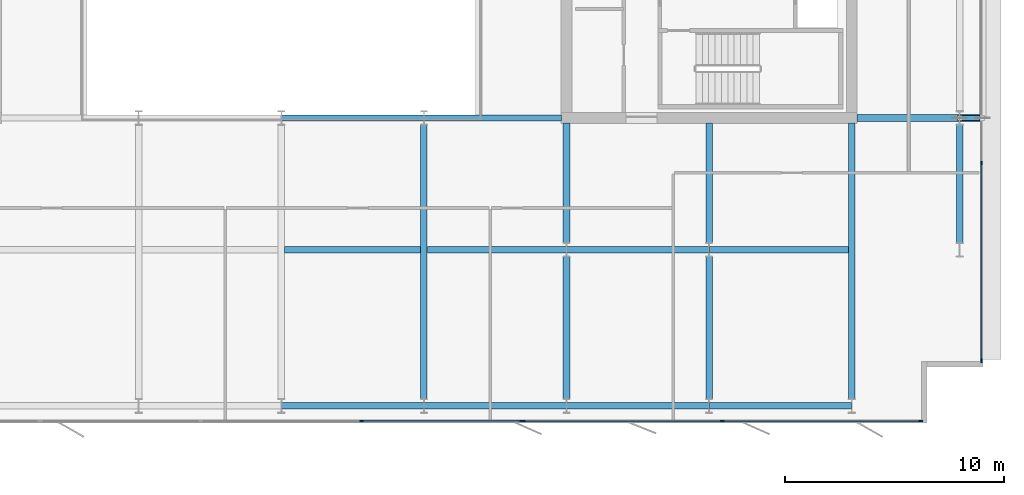
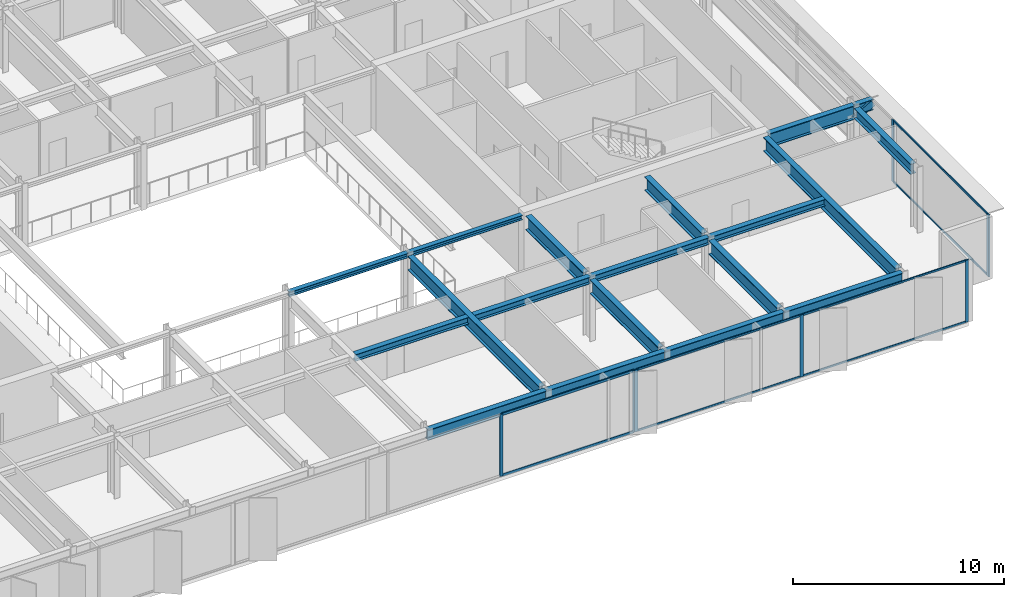
# One storey, part 6 of 19: 19 beams, 16 members, 3 elements without a shape of their own.
"""IFC4 building model written with IfcOpenShell, lengths in metres."""

from ifc_helpers import new_model, si_unit, direction, frame, origin, origin_2d, place, context, subcontext, project, spatial, rectangle, hollow_rectangle, i_section, extrude, material, layer, layer_set, material_profile, profile_set, type_object, element, aggregate, save


model = new_model("IFC4")

# Units and contexts
model_context = context("Model", 3, precision=1e-05, world=origin(), true_north=direction((0.0, 1.0)))
body_context = subcontext(model_context, "Body", "Model", "MODEL_VIEW")
ifc_project = project(units=[si_unit("LENGTHUNIT", "METRE"), si_unit("AREAUNIT", "SQUARE_METRE"), si_unit("VOLUMEUNIT", "CUBIC_METRE"), si_unit("PLANEANGLEUNIT", "RADIAN"), si_unit("MASSUNIT", "GRAM", prefix="KILO")], contexts=[model_context])

# Site, building, storey
site_placement = place(None, origin())
site = spatial("IfcSite", under=ifc_project, at=site_placement, CompositionType="ELEMENT")
building_placement = place(site_placement, origin())
building = spatial("IfcBuilding", under=site, at=building_placement, Name="Putna Gate Headquarters", CompositionType="ELEMENT")
storey_placement = place(building_placement, frame((0.0, 0.0, 263.199951171875)))
storey = spatial("IfcBuildingStorey", under=building, at=storey_placement, Name="L66", CompositionType="ELEMENT", Elevation=263.199951171875)

# Beams
ifc_material_1 = material(Name="Steel S355J2", Category="steel")
ifc_material_profile_1 = material_profile(ifc_material_1, i_section(OverallWidth=0.260009765625, OverallDepth=0.260009765625, WebThickness=0.010009765625, FlangeThickness=0.017578125, at=origin_2d()), Name="Steel S355J2")
ifc_profile_set_1 = profile_set([ifc_material_profile_1], Name="Steel S355J2")
beam_type_1 = type_object("IfcBeamType", Name="BM-ATRIUM-HEB260", PredefinedType="BEAM", material=ifc_profile_set_1)
beam_1_placement = place(storey_placement, frame((39.006103515625, 19.0, 3.4580078125), z_axis=(1.0, 0.0, 0.0), x_axis=(0.0, 1.0, 0.0)))
element("IfcBeam", 1, at=beam_1_placement, inside=storey, type_object=beam_type_1, Name="L66 Atrium Edge Beam AS3", PredefinedType="BEAM", context=body_context, shape_type="SweptSolid", body=[
    extrude(i_section(OverallWidth=0.260009765625, OverallDepth=0.260009765625, WebThickness=0.010009765625, FlangeThickness=0.017578125, at=origin_2d()), origin(), (0.0, 0.0, 1.0), 6.48779296875),
])
beam_2_placement = place(storey_placement, frame((45.506103515625, 19.0, 3.4580078125), z_axis=(1.0, 0.0, 0.0), x_axis=(0.0, 1.0, 0.0)))
element("IfcBeam", 2, at=beam_2_placement, inside=storey, type_object=beam_type_1, Name="L66 Atrium Edge Beam AS4", PredefinedType="BEAM", context=body_context, shape_type="SweptSolid", body=[
    extrude(i_section(OverallWidth=0.260009765625, OverallDepth=0.260009765625, WebThickness=0.010009765625, FlangeThickness=0.017578125, at=origin_2d()), origin(), (0.0, 0.0, 1.0), 6.2587890625),
])
ifc_material_profile_2 = material_profile(ifc_material_1, i_section(OverallWidth=0.300048828125, OverallDepth=0.800048828125, WebThickness=0.017578125, FlangeThickness=0.032958984375, at=origin_2d()), Name="Steel S355J2")
ifc_profile_set_2 = profile_set([ifc_material_profile_2], Name="Steel S355J2")
beam_type_2 = type_object("IfcBeamType", Name="BM-GIRD-P-HEB800", PredefinedType="USERDEFINED", material=ifc_profile_set_2)
beam_3_placement = place(storey_placement, frame((65.235107421875, 19.0, 3.18798828125), z_axis=(1.0, 0.0, 0.0), x_axis=(0.0, 1.0, 0.0)))
element("IfcBeam", 3, at=beam_3_placement, inside=storey, type_object=beam_type_2, Name="L66 East Wing Girder Y19", ObjectType="GIRDER", PredefinedType="USERDEFINED", context=body_context, shape_type="SweptSolid", body=[
    extrude(i_section(OverallWidth=0.300048828125, OverallDepth=0.800048828125, WebThickness=0.017578125, FlangeThickness=0.032958984375, at=origin_2d()), origin(), (0.0, 0.0, 1.0), 4.678955078125),
])
beam_4_placement = place(storey_placement, frame((45.5, 6.201904296875, 3.18798828125), z_axis=(0.0, 1.0, 0.0), x_axis=(-1.0, 0.0, 0.0)))
element("IfcBeam", 4, at=beam_4_placement, inside=storey, type_object=beam_type_2, Name="L66 South Primary Girder X45", ObjectType="GIRDER", PredefinedType="USERDEFINED", context=body_context, shape_type="SweptSolid", body=[
    extrude(i_section(OverallWidth=0.300048828125, OverallDepth=0.800048828125, WebThickness=0.017578125, FlangeThickness=0.032958984375, at=origin_2d()), origin(), (0.0, 0.0, 1.0), 12.47607421875),
])
beam_5_placement = place(storey_placement, frame((52.0, 6.201904296875, 3.18798828125), z_axis=(0.0, 1.0, 0.0), x_axis=(-1.0, 0.0, 0.0)))
element("IfcBeam", 5, at=beam_5_placement, inside=storey, type_object=beam_type_2, Name="L66 South Primary Girder X52-1", ObjectType="GIRDER", PredefinedType="USERDEFINED", context=body_context, shape_type="SweptSolid", body=[
    extrude(i_section(OverallWidth=0.300048828125, OverallDepth=0.800048828125, WebThickness=0.017578125, FlangeThickness=0.032958984375, at=origin_2d()), origin(), (0.0, 0.0, 1.0), 6.47607421875),
])
beam_6_placement = place(storey_placement, frame((52.0, 13.322021484375, 3.18798828125), z_axis=(0.0, 1.0, 0.0), x_axis=(-1.0, 0.0, 0.0)))
element("IfcBeam", 6, at=beam_6_placement, inside=storey, type_object=beam_type_2, Name="L66 South Primary Girder X52-2", ObjectType="GIRDER", PredefinedType="USERDEFINED", context=body_context, shape_type="SweptSolid", body=[
    extrude(i_section(OverallWidth=0.300048828125, OverallDepth=0.800048828125, WebThickness=0.017578125, FlangeThickness=0.032958984375, at=origin_2d()), origin(), (0.0, 0.0, 1.0), 5.44287109375),
])
beam_7_placement = place(storey_placement, frame((58.5, 6.201904296875, 3.18798828125), z_axis=(0.0, 1.0, 0.0), x_axis=(-1.0, 0.0, 0.0)))
element("IfcBeam", 7, at=beam_7_placement, inside=storey, type_object=beam_type_2, Name="L66 South Primary Girder X58-1", ObjectType="GIRDER", PredefinedType="USERDEFINED", context=body_context, shape_type="SweptSolid", body=[
    extrude(i_section(OverallWidth=0.300048828125, OverallDepth=0.800048828125, WebThickness=0.017578125, FlangeThickness=0.032958984375, at=origin_2d()), origin(), (0.0, 0.0, 1.0), 6.47607421875),
])
beam_8_placement = place(storey_placement, frame((58.5, 13.322021484375, 3.18798828125), z_axis=(0.0, 1.0, 0.0), x_axis=(-1.0, 0.0, 0.0)))
element("IfcBeam", 8, at=beam_8_placement, inside=storey, type_object=beam_type_2, Name="L66 South Primary Girder X58-2", ObjectType="GIRDER", PredefinedType="USERDEFINED", context=body_context, shape_type="SweptSolid", body=[
    extrude(i_section(OverallWidth=0.300048828125, OverallDepth=0.800048828125, WebThickness=0.017578125, FlangeThickness=0.032958984375, at=origin_2d()), origin(), (0.0, 0.0, 1.0), 5.44287109375),
])
beam_9_placement = place(storey_placement, frame((65.0, 6.201904296875, 3.18798828125), z_axis=(0.0, 1.0, 0.0), x_axis=(-1.0, 0.0, 0.0)))
element("IfcBeam", 9, at=beam_9_placement, inside=storey, type_object=beam_type_2, Name="L66 South Primary Girder X65", ObjectType="GIRDER", PredefinedType="USERDEFINED", context=body_context, shape_type="SweptSolid", body=[
    extrude(i_section(OverallWidth=0.300048828125, OverallDepth=0.800048828125, WebThickness=0.017578125, FlangeThickness=0.032958984375, at=origin_2d()), origin(), (0.0, 0.0, 1.0), 12.56298828125),
])
ifc_material_profile_3 = material_profile(ifc_material_1, i_section(OverallWidth=0.300048828125, OverallDepth=0.60009765625, WebThickness=0.015380859375, FlangeThickness=0.030029296875, at=origin_2d()), Name="Steel S355J2")
ifc_profile_set_3 = profile_set([ifc_material_profile_3], Name="Steel S355J2")
beam_type_3 = type_object("IfcBeamType", Name="BM-GIRD-SAIL-HEB600", PredefinedType="USERDEFINED", material=ifc_profile_set_3)
beam_10_placement = place(storey_placement, frame((69.926025390625, 19.0, 3.2880859375), z_axis=(1.0, 0.0, 0.0), x_axis=(0.0, 1.0, 0.0)))
element("IfcBeam", 10, at=beam_10_placement, inside=storey, type_object=beam_type_3, Name="L66 East Sail Outrigger Bracket Y19", ObjectType="GIRDER", PredefinedType="USERDEFINED", context=body_context, shape_type="SweptSolid", body=[
    extrude(i_section(OverallWidth=0.300048828125, OverallDepth=0.60009765625, WebThickness=0.015380859375, FlangeThickness=0.030029296875, at=origin_2d()), origin(), (0.0, 0.0, 1.0), 1.0390625),
])
ifc_material_profile_4 = material_profile(ifc_material_1, i_section(OverallWidth=0.300048828125, OverallDepth=0.389892578125, WebThickness=0.010986328125, FlangeThickness=0.01904296875, at=origin_2d()), Name="Steel S355J2")
ifc_profile_set_4 = profile_set([ifc_material_profile_4], Name="Steel S355J2")
beam_type_4 = type_object("IfcBeamType", Name="BM-SEC-Z5-HEA400", PredefinedType="BEAM", material=ifc_profile_set_4)
beam_11_placement = place(storey_placement, frame((39.154052734375, 13.0, 3.39306640625), z_axis=(1.0, 0.0, 0.0), x_axis=(0.0, 1.0, 0.0)))
element("IfcBeam", 11, at=beam_11_placement, inside=storey, type_object=beam_type_4, Name="L66 South Secondary Beam 5", PredefinedType="BEAM", context=body_context, shape_type="SweptSolid", body=[
    extrude(i_section(OverallWidth=0.300048828125, OverallDepth=0.389892578125, WebThickness=0.010986328125, FlangeThickness=0.01904296875, at=origin_2d()), origin(), (0.0, 0.0, 1.0), 6.19189453125),
])
beam_12_placement = place(storey_placement, frame((45.654052734375, 13.0, 3.39306640625), z_axis=(1.0, 0.0, 0.0), x_axis=(0.0, 1.0, 0.0)))
element("IfcBeam", 12, at=beam_12_placement, inside=storey, type_object=beam_type_4, Name="L66 South Secondary Beam 6", PredefinedType="BEAM", context=body_context, shape_type="SweptSolid", body=[
    extrude(i_section(OverallWidth=0.300048828125, OverallDepth=0.389892578125, WebThickness=0.010986328125, FlangeThickness=0.01904296875, at=origin_2d()), origin(), (0.0, 0.0, 1.0), 6.33984375),
])
beam_13_placement = place(storey_placement, frame((52.006103515625, 13.0, 3.39306640625), z_axis=(1.0, 0.0, 0.0), x_axis=(0.0, 1.0, 0.0)))
element("IfcBeam", 13, at=beam_13_placement, inside=storey, type_object=beam_type_4, Name="L66 South Secondary Beam 7", PredefinedType="BEAM", context=body_context, shape_type="SweptSolid", body=[
    extrude(i_section(OverallWidth=0.300048828125, OverallDepth=0.389892578125, WebThickness=0.010986328125, FlangeThickness=0.01904296875, at=origin_2d()), origin(), (0.0, 0.0, 1.0), 6.48779296875),
])
beam_14_placement = place(storey_placement, frame((58.506103515625, 13.0, 3.39306640625), z_axis=(1.0, 0.0, 0.0), x_axis=(0.0, 1.0, 0.0)))
element("IfcBeam", 14, at=beam_14_placement, inside=storey, type_object=beam_type_4, Name="L66 South Secondary Beam 8", PredefinedType="BEAM", context=body_context, shape_type="SweptSolid", body=[
    extrude(i_section(OverallWidth=0.300048828125, OverallDepth=0.389892578125, WebThickness=0.010986328125, FlangeThickness=0.01904296875, at=origin_2d()), origin(), (0.0, 0.0, 1.0), 6.33984375),
])
ifc_material_profile_5 = material_profile(ifc_material_1, i_section(OverallWidth=0.300048828125, OverallDepth=0.590087890625, WebThickness=0.012939453125, FlangeThickness=0.02490234375, at=origin_2d()), Name="Steel S355J2")
ifc_profile_set_5 = profile_set([ifc_material_profile_5], Name="Steel S355J2")
beam_type_5 = type_object("IfcBeamType", Name="BM-SPAN-Z4-HEA600", PredefinedType="SPANDREL", material=ifc_profile_set_5)
for number, where, z_axis, x_axis, name in (
    (15, (39.006103515625, 5.8798828125, 3.29296875), (1.0, 0.0, 0.0), (0.0, 1.0, 0.0), "L66 S Perimeter Spandrel 5"),
    (16, (45.506103515625, 5.8798828125, 3.29296875), (1.0, 0.0, 0.0), (0.0, 1.0, 0.0), "L66 S Perimeter Spandrel 6"),
    (17, (52.006103515625, 5.8798828125, 3.29296875), (1.0, 0.0, 0.0), (0.0, 1.0, 0.0), "L66 S Perimeter Spandrel 7"),
    (18, (58.506103515625, 5.8798828125, 3.29296875), (1.0, 0.0, 0.0), (0.0, 1.0, 0.0), "L66 S Perimeter Spandrel 8"),
):
    element("IfcBeam", number, at=place(storey_placement, frame(where, z_axis=z_axis, x_axis=x_axis)), inside=storey, type_object=beam_type_5, Name=name, PredefinedType="SPANDREL", context=body_context, shape_type="SweptSolid", body=[
        extrude(i_section(OverallWidth=0.300048828125, OverallDepth=0.590087890625, WebThickness=0.012939453125, FlangeThickness=0.02490234375, at=origin_2d()), origin(), (0.0, 0.0, 1.0), 6.48779296875),
    ])
beam_15_placement = place(storey_placement, frame((69.919921875, 13.322021484375, 3.29296875), z_axis=(0.0, 1.0, 0.0), x_axis=(-1.0, 0.0, 0.0)))
element("IfcBeam", 19, at=beam_15_placement, inside=storey, type_object=beam_type_5, Name="L66 E End Spandrel 1", PredefinedType="SPANDREL", context=body_context, shape_type="SweptSolid", body=[
    extrude(i_section(OverallWidth=0.300048828125, OverallDepth=0.590087890625, WebThickness=0.012939453125, FlangeThickness=0.02490234375, at=origin_2d()), origin(), (0.0, 0.0, 1.0), 5.35595703125),
])

# Member
ifc_material_2 = material(Name="Steel S460M", Category="steel")
ifc_material_profile_6 = material_profile(ifc_material_2, hollow_rectangle(XDim=0.25, YDim=0.39990234375, WallThickness=0.01611328125, at=origin_2d()), Name="Steel S460M")
ifc_profile_set_6 = profile_set([ifc_material_profile_6], Name="Steel S460M")
member_type_1 = type_object("IfcMemberType", Name="MEM-SAIL-BRACE-RHS400", PredefinedType="BRACE", material=ifc_profile_set_6)
member_1_placement = place(storey_placement, frame((69.93212890625, 19.0, 2.76025390625), z_axis=(0.859639939192, 0.0, 0.51090035716), x_axis=(0.0, 1.0, 0.0)))
element("IfcMember", 20, at=member_1_placement, inside=storey, type_object=member_type_1, Name="L66 East Sail Cantilever Raker Y19", PredefinedType="BRACE", context=body_context, shape_type="SweptSolid", body=[
    extrude(hollow_rectangle(XDim=0.25, YDim=0.39990234375, WallThickness=0.01611328125, at=origin_2d()), origin(), (0.0, 0.0, 1.0), 1.169921875),
])

# Curtain wall, members
ifc_material_3 = material(Name="Anodised bronze aluminium curtain wall", Category="aluminium")
ifc_layer_1 = layer(ifc_material_3, 0.179931640625)
ifc_layer_set_1 = layer_set([ifc_layer_1], Name="Anodised bronze aluminium curtain wall")
curtain_wall_type_1 = type_object("IfcCurtainWallType", Name="CW-SYS-Z5", PredefinedType="USERDEFINED", material=ifc_layer_set_1)
curtain_wall_1_placement = place(storey_placement, origin())
curtain_wall_1 = element("IfcCurtainWall", 21, at=curtain_wall_1_placement, inside=storey, type_object=curtain_wall_type_1, Name="L66 South East Curtain Wall", ObjectType="STICK CURTAIN WALL", PredefinedType="USERDEFINED")
ifc_material_4 = material(Name="Anodised bronze aluminium EN AW-6060", Category="aluminium")
ifc_material_profile_7 = material_profile(ifc_material_4, rectangle(XDim=0.070068359375, YDim=0.179931640625, at=origin_2d()), Name="Anodised bronze aluminium EN AW-6060")
ifc_profile_set_7 = profile_set([ifc_material_profile_7], Name="Anodised bronze aluminium EN AW-6060")
member_type_2 = type_object("IfcMemberType", Name="MULL-CWM-5", PredefinedType="MULLION", material=ifc_profile_set_7)
member_2_placement = place(storey_placement, frame((50.034912109375, 5.179931640625, 0.0), z_axis=(0.0, 0.0, 1.0), x_axis=(0.0, 1.0, 0.0)))
member_2 = element("IfcMember", 22, at=member_2_placement, type_object=member_type_2, Name="CWS-5 mullion 1", PredefinedType="MULLION", context=body_context, shape_type="SweptSolid", body=[
    extrude(rectangle(XDim=0.070068359375, YDim=0.179931640625, at=origin_2d()), origin(), (0.0, 0.0, 1.0), 3.588134765625),
])
member_3_placement = place(storey_placement, frame((59.094482421875, 5.179931640625, 0.0), z_axis=(0.0, 0.0, 1.0), x_axis=(0.0, 1.0, 0.0)))
member_3 = element("IfcMember", 23, at=member_3_placement, type_object=member_type_2, Name="CWS-5 mullion 2", PredefinedType="MULLION", context=body_context, shape_type="SweptSolid", body=[
    extrude(rectangle(XDim=0.070068359375, YDim=0.179931640625, at=origin_2d()), origin(), (0.0, 0.0, 1.0), 3.588134765625),
])
member_4_placement = place(storey_placement, frame((68.154052734375, 5.179931640625, 0.0), z_axis=(0.0, 0.0, 1.0), x_axis=(0.0, 1.0, 0.0)))
member_4 = element("IfcMember", 24, at=member_4_placement, type_object=member_type_2, Name="CWS-5 mullion 3", PredefinedType="MULLION", context=body_context, shape_type="SweptSolid", body=[
    extrude(rectangle(XDim=0.070068359375, YDim=0.179931640625, at=origin_2d()), origin(), (0.0, 0.0, 1.0), 3.588134765625),
])

curtain_wall_2_placement = place(storey_placement, origin())
curtain_wall_2 = element("IfcCurtainWall", 25, at=curtain_wall_2_placement, inside=storey, type_object=curtain_wall_type_1, Name="L66 East Curtain Wall", ObjectType="STICK CURTAIN WALL", PredefinedType="USERDEFINED")
member_5_placement = place(storey_placement, frame((70.908935546875, 7.93505859375, 0.0), z_axis=(0.0, 0.0, 1.0), x_axis=(-1.0, 0.0, 0.0)))
member_5 = element("IfcMember", 26, at=member_5_placement, type_object=member_type_2, Name="CWS-5 mullion 1", PredefinedType="MULLION", context=body_context, shape_type="SweptSolid", body=[
    extrude(rectangle(XDim=0.070068359375, YDim=0.179931640625, at=origin_2d()), origin(), (0.0, 0.0, 1.0), 3.588134765625),
])
member_6_placement = place(storey_placement, frame((70.908935546875, 16.949951171875, 0.0), z_axis=(0.0, 0.0, 1.0), x_axis=(-1.0, 0.0, 0.0)))
member_6 = element("IfcMember", 27, at=member_6_placement, type_object=member_type_2, Name="CWS-5 mullion 2", PredefinedType="MULLION", context=body_context, shape_type="SweptSolid", body=[
    extrude(rectangle(XDim=0.070068359375, YDim=0.179931640625, at=origin_2d()), origin(), (0.0, 0.0, 1.0), 3.588134765625),
])

ifc_layer_2 = layer(ifc_material_3, 0.179931640625)
ifc_layer_set_2 = layer_set([ifc_layer_2], Name="Anodised bronze aluminium curtain wall")
curtain_wall_type_2 = type_object("IfcCurtainWallType", Name="CW-SYS-ATR", PredefinedType="USERDEFINED", material=ifc_layer_set_2)
curtain_wall_3_placement = place(storey_placement, origin())
curtain_wall_3 = element("IfcCurtainWall", 28, at=curtain_wall_3_placement, inside=storey, type_object=curtain_wall_type_2, Name="L66 South Atrium Clear Glazing", ObjectType="ATRIUM GLAZING", PredefinedType="USERDEFINED")
ifc_material_profile_8 = material_profile(ifc_material_4, rectangle(XDim=0.070068359375, YDim=0.179931640625, at=origin_2d()), Name="Anodised bronze aluminium EN AW-6060")
ifc_profile_set_8 = profile_set([ifc_material_profile_8], Name="Anodised bronze aluminium EN AW-6060")
member_type_3 = type_object("IfcMemberType", Name="MULL-CWM-AT", PredefinedType="MULLION", material=ifc_profile_set_8)
member_7_placement = place(storey_placement, frame((42.666748046875, 5.179931640625, 0.0), z_axis=(0.0, 0.0, 1.0), x_axis=(0.0, 1.0, 0.0)))
member_7 = element("IfcMember", 29, at=member_7_placement, type_object=member_type_3, Name="CWS-AT mullion 3", PredefinedType="MULLION", context=body_context, shape_type="SweptSolid", body=[
    extrude(rectangle(XDim=0.070068359375, YDim=0.179931640625, at=origin_2d()), origin(), (0.0, 0.0, 1.0), 3.588134765625),
])
member_8_placement = place(storey_placement, frame((49.965087890625, 5.179931640625, 0.0), z_axis=(0.0, 0.0, 1.0), x_axis=(0.0, 1.0, 0.0)))
member_8 = element("IfcMember", 30, at=member_8_placement, type_object=member_type_3, Name="CWS-AT mullion 4", PredefinedType="MULLION", context=body_context, shape_type="SweptSolid", body=[
    extrude(rectangle(XDim=0.070068359375, YDim=0.179931640625, at=origin_2d()), origin(), (0.0, 0.0, 1.0), 3.588134765625),
])

# Member
ifc_material_profile_9 = material_profile(ifc_material_4, rectangle(XDim=0.06005859375, YDim=0.10009765625, at=origin_2d()), Name="Anodised bronze aluminium EN AW-6060")
ifc_profile_set_9 = profile_set([ifc_material_profile_9], Name="Anodised bronze aluminium EN AW-6060")
member_type_4 = type_object("IfcMemberType", Name="TRAN-CWT-5", PredefinedType="USERDEFINED", material=ifc_profile_set_9)
member_9_placement = place(storey_placement, frame((50.070068359375, 5.179931640625, 0.030029296875), z_axis=(1.0, 0.0, 0.0), x_axis=(0.0, 1.0, 0.0)))
member_9 = element("IfcMember", 31, at=member_9_placement, type_object=member_type_4, Name="CWS-5 transom 1.1", ObjectType="TRANSOM", PredefinedType="USERDEFINED", context=body_context, shape_type="SweptSolid", body=[
    extrude(rectangle(XDim=0.06005859375, YDim=0.10009765625, at=origin_2d()), origin(), (0.0, 0.0, 1.0), 8.989501953125),
])

member_10_placement = place(storey_placement, frame((50.070068359375, 5.179931640625, 3.55810546875), z_axis=(1.0, 0.0, 0.0), x_axis=(0.0, 1.0, 0.0)))
member_10 = element("IfcMember", 32, at=member_10_placement, type_object=member_type_4, Name="CWS-5 transom 1.2", ObjectType="TRANSOM", PredefinedType="USERDEFINED", context=body_context, shape_type="SweptSolid", body=[
    extrude(rectangle(XDim=0.06005859375, YDim=0.10009765625, at=origin_2d()), origin(), (0.0, 0.0, 1.0), 8.989501953125),
])

member_11_placement = place(storey_placement, frame((59.12939453125, 5.179931640625, 0.030029296875), z_axis=(1.0, 0.0, 0.0), x_axis=(0.0, 1.0, 0.0)))
member_11 = element("IfcMember", 33, at=member_11_placement, type_object=member_type_4, Name="CWS-5 transom 2.1", ObjectType="TRANSOM", PredefinedType="USERDEFINED", context=body_context, shape_type="SweptSolid", body=[
    extrude(rectangle(XDim=0.06005859375, YDim=0.10009765625, at=origin_2d()), origin(), (0.0, 0.0, 1.0), 8.989501953125),
])

member_12_placement = place(storey_placement, frame((59.12939453125, 5.179931640625, 3.55810546875), z_axis=(1.0, 0.0, 0.0), x_axis=(0.0, 1.0, 0.0)))
member_12 = element("IfcMember", 34, at=member_12_placement, type_object=member_type_4, Name="CWS-5 transom 2.2", ObjectType="TRANSOM", PredefinedType="USERDEFINED", context=body_context, shape_type="SweptSolid", body=[
    extrude(rectangle(XDim=0.06005859375, YDim=0.10009765625, at=origin_2d()), origin(), (0.0, 0.0, 1.0), 8.989501953125),
])

aggregate(curtain_wall_1, [member_2, member_3, member_4, member_9, member_10, member_11, member_12])

member_13_placement = place(storey_placement, frame((70.908935546875, 7.969970703125, 0.030029296875), z_axis=(0.0, 1.0, 0.0), x_axis=(-1.0, 0.0, 0.0)))
member_13 = element("IfcMember", 35, at=member_13_placement, type_object=member_type_4, Name="CWS-5 transom 1.1", ObjectType="TRANSOM", PredefinedType="USERDEFINED", context=body_context, shape_type="SweptSolid", body=[
    extrude(rectangle(XDim=0.06005859375, YDim=0.10009765625, at=origin_2d()), origin(), (0.0, 0.0, 1.0), 8.945068359375),
])

member_14_placement = place(storey_placement, frame((70.908935546875, 7.969970703125, 3.55810546875), z_axis=(0.0, 1.0, 0.0), x_axis=(-1.0, 0.0, 0.0)))
member_14 = element("IfcMember", 36, at=member_14_placement, type_object=member_type_4, Name="CWS-5 transom 1.2", ObjectType="TRANSOM", PredefinedType="USERDEFINED", context=body_context, shape_type="SweptSolid", body=[
    extrude(rectangle(XDim=0.06005859375, YDim=0.10009765625, at=origin_2d()), origin(), (0.0, 0.0, 1.0), 8.945068359375),
])

aggregate(curtain_wall_2, [member_5, member_6, member_13, member_14])

ifc_material_profile_10 = material_profile(ifc_material_4, rectangle(XDim=0.070068359375, YDim=0.139892578125, at=origin_2d()), Name="Anodised bronze aluminium EN AW-6060")
ifc_profile_set_10 = profile_set([ifc_material_profile_10], Name="Anodised bronze aluminium EN AW-6060")
member_type_5 = type_object("IfcMemberType", Name="TRAN-CWT-AT", PredefinedType="USERDEFINED", material=ifc_profile_set_10)
member_15_placement = place(storey_placement, frame((42.70166015625, 5.179931640625, 0.03515625), z_axis=(1.0, 0.0, 0.0), x_axis=(0.0, 1.0, 0.0)))
member_15 = element("IfcMember", 37, at=member_15_placement, type_object=member_type_5, Name="CWS-AT transom 3.1", ObjectType="TRANSOM", PredefinedType="USERDEFINED", context=body_context, shape_type="SweptSolid", body=[
    extrude(rectangle(XDim=0.070068359375, YDim=0.139892578125, at=origin_2d()), origin(), (0.0, 0.0, 1.0), 7.228271484375),
])

member_16_placement = place(storey_placement, frame((42.70166015625, 5.179931640625, 3.552978515625), z_axis=(1.0, 0.0, 0.0), x_axis=(0.0, 1.0, 0.0)))
member_16 = element("IfcMember", 38, at=member_16_placement, type_object=member_type_5, Name="CWS-AT transom 3.2", ObjectType="TRANSOM", PredefinedType="USERDEFINED", context=body_context, shape_type="SweptSolid", body=[
    extrude(rectangle(XDim=0.070068359375, YDim=0.139892578125, at=origin_2d()), origin(), (0.0, 0.0, 1.0), 7.228271484375),
])

aggregate(curtain_wall_3, [member_7, member_8, member_15, member_16])

save(model, "model.ifc")
